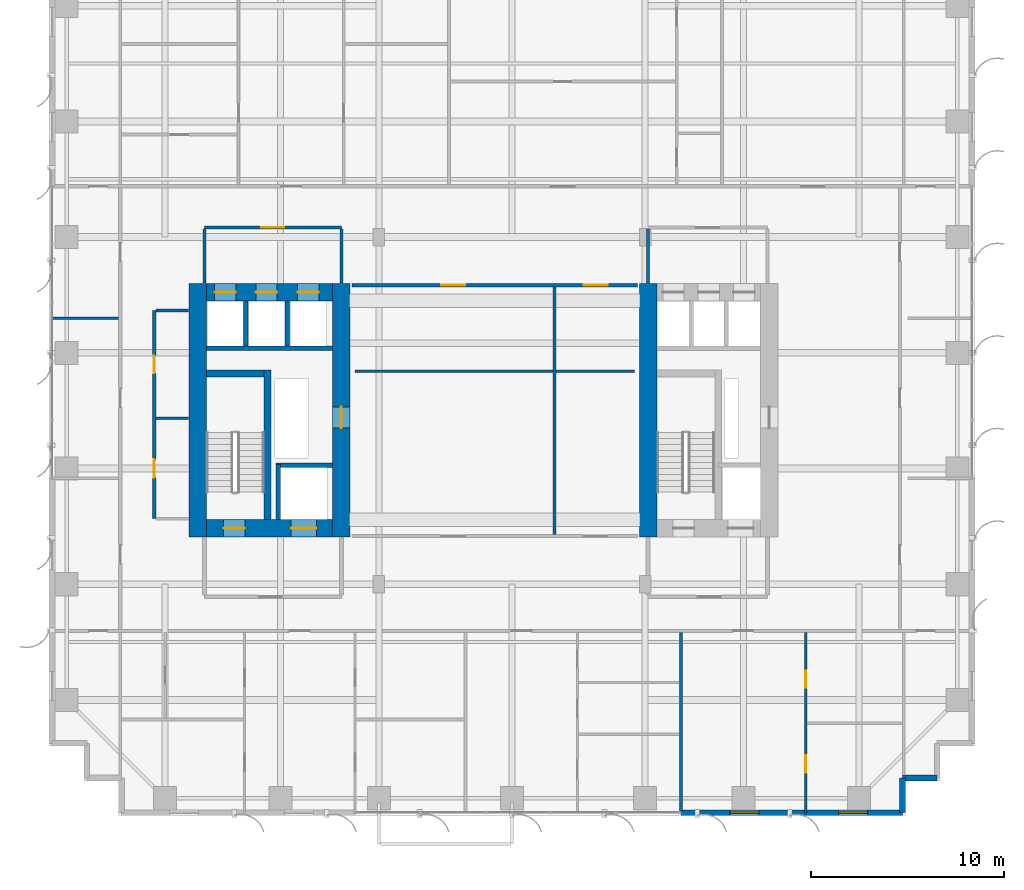
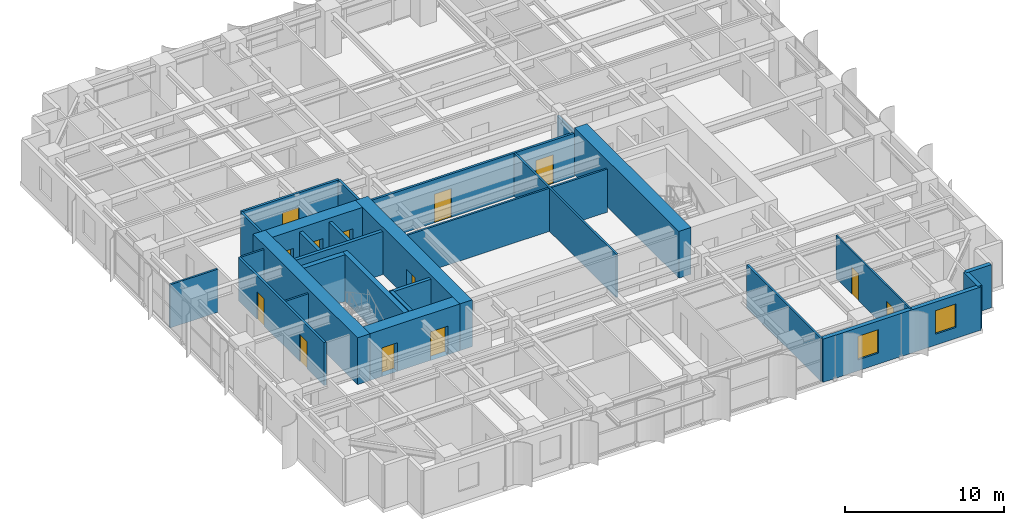
# One storey, part 18 of 25: 28 walls, 13 doors, 2 windows, 15 openings.
"""IFC4 building model written with IfcOpenShell, lengths in metres."""

from ifc_helpers import new_model, si_unit, direction, frame, frame_2d, origin, place, context, subcontext, project, spatial, rectangle, extrude, source, transform, mapped, material, layer, layer_set, type_object, element, fill, save


model = new_model("IFC4")

# Units and contexts
model_context = context("Model", 3, precision=1e-05, world=origin(), true_north=direction((0.0, 1.0)))
body_context = subcontext(model_context, "Body", "Model", "MODEL_VIEW")
ifc_project = project(units=[si_unit("LENGTHUNIT", "METRE"), si_unit("AREAUNIT", "SQUARE_METRE"), si_unit("VOLUMEUNIT", "CUBIC_METRE"), si_unit("PLANEANGLEUNIT", "RADIAN"), si_unit("MASSUNIT", "GRAM", prefix="KILO")], contexts=[model_context])

# Site, building, storey
site_placement = place(None, origin())
site = spatial("IfcSite", under=ifc_project, at=site_placement, CompositionType="ELEMENT")
building_placement = place(site_placement, origin())
building = spatial("IfcBuilding", under=site, at=building_placement, Name="Khoralis Quay Care Tower", CompositionType="ELEMENT")
storey_placement = place(building_placement, frame((0.0, 0.0, 65.699951171875)))
storey = spatial("IfcBuildingStorey", under=building, at=storey_placement, Name="L17", CompositionType="ELEMENT", Elevation=65.699951171875)

# Wall
ifc_material_1 = material(Name="Concrete C80/95", Category="concrete")
ifc_layer_1 = layer(ifc_material_1, 0.89990234375)
ifc_layer_set_1 = layer_set([ifc_layer_1], Name="Concrete C80/95")
wall_type_1 = type_object("IfcWallType", Name="WL-CORE-900", PredefinedType="SHEAR", material=ifc_layer_set_1)
wall_1_placement = place(storey_placement, frame((7.699951171875, 14.449951171875, 0.0), z_axis=(0.0, 0.0, 1.0), x_axis=(0.0, 1.0, 0.0)))
element("IfcWall", 1, at=wall_1_placement, inside=storey, type_object=wall_type_1, Name="L17 WCORE West Shear Wall", PredefinedType="SHEAR", context=body_context, shape_type="SweptSolid", body=[
    extrude(rectangle(XDim=13.150146484375, YDim=0.89990234375, at=frame_2d((6.5751953125, 0.0))), origin(), (0.0, 0.0, 1.0), 3.60009765625),
])

# Wall, opening, door
wall_2_placement = place(storey_placement, frame((15.14990234375, 14.449951171875, 0.0), z_axis=(0.0, 0.0, 1.0), x_axis=(0.0, 1.0, 0.0)))
wall_2 = element("IfcWall", 2, at=wall_2_placement, inside=storey, type_object=wall_type_1, Name="L17 WCORE East Shear Wall", PredefinedType="SHEAR", context=body_context, shape_type="SweptSolid", body=[
    extrude(rectangle(XDim=13.150146484375, YDim=0.89990234375, at=frame_2d((6.5751953125, 0.0))), origin(), (0.0, 0.0, 1.0), 3.60009765625),
])
opening_1_placement = place(wall_2_placement, frame((5.64990234375, 0.0, 0.0)))
opening_1 = element("IfcOpeningElement", 3, at=opening_1_placement, cuts=wall_2, Name="Opening SD1", PredefinedType="OPENING", context=body_context, shape_type="SweptSolid", body=[
    extrude(rectangle(XDim=1.10009765625, YDim=2.199951171875, at=frame_2d((0.550048828125, 1.10009765625))), frame((0.0, 0.4599609375, 0.0), z_axis=(0.0, -1.0, 0.0), x_axis=(1.0, 0.0, 0.0)), (0.0, 0.0, 1.0), 0.919921875),
])
ifc_material_2 = material(Name="Fire-rated painted steel", Category="steel")
door_type_1 = type_object("IfcDoorType", Name="DR-STAIR-1100X2200", OperationType="NOTDEFINED", PredefinedType="DOOR", material=ifc_material_2)
shared_shape_1 = source(origin(), body_context, "Body", "SweptSolid", [
    extrude(rectangle(XDim=1.10009765625, YDim=2.199951171875, at=frame_2d((0.550048828125, 1.10009765625))), frame((0.0, 0.02490234375, 0.0), z_axis=(0.0, -1.0, 0.0), x_axis=(1.0, 0.0, 0.0)), (0.0, 0.0, 1.0), 0.050048828125),
])
door_1_placement = place(opening_1_placement, origin())
door_1 = element("IfcDoor", 4, at=door_1_placement, inside=storey, type_object=door_type_1, Name="L17 West MEP Riser Door", OperationType="SINGLE_SWING_LEFT", OverallHeight=2.199951171875, OverallWidth=1.10009765625, PredefinedType="DOOR", context=body_context, shape_type="MappedRepresentation", body=[
    mapped(shared_shape_1, transform((0.0, 0.0, 0.0), scale=1.0)),
])
fill(opening_1, door_1)

# Wall, openings, doors
wall_3_placement = place(storey_placement, frame((8.14990234375, 14.89990234375, 0.0), z_axis=(0.0, 0.0, 1.0), x_axis=(1.0, 0.0, 0.0)))
wall_3 = element("IfcWall", 5, at=wall_3_placement, inside=storey, type_object=wall_type_1, Name="L17 WCORE South Shear Wall", PredefinedType="SHEAR", context=body_context, shape_type="SweptSolid", body=[
    extrude(rectangle(XDim=6.550048828125, YDim=0.89990234375, at=frame_2d((3.27490234375, 0.0))), origin(), (0.0, 0.0, 1.0), 3.60009765625),
])
opening_2_placement = place(wall_3_placement, frame((0.89990234375, 0.0, 0.0)))
opening_2 = element("IfcOpeningElement", 6, at=opening_2_placement, cuts=wall_3, Name="Opening SD1", PredefinedType="OPENING", context=body_context, shape_type="SweptSolid", body=[
    extrude(rectangle(XDim=1.10009765625, YDim=2.199951171875, at=frame_2d((0.550048828125, 1.10009765625))), frame((0.0, 0.4599609375, 0.0), z_axis=(0.0, -1.0, 0.0), x_axis=(1.0, 0.0, 0.0)), (0.0, 0.0, 1.0), 0.919921875),
])
opening_3_placement = place(wall_3_placement, frame((4.39990234375, 0.0, 0.0)))
opening_3 = element("IfcOpeningElement", 7, at=opening_3_placement, cuts=wall_3, Name="Opening LD2", PredefinedType="OPENING", context=body_context, shape_type="SweptSolid", body=[
    extrude(rectangle(XDim=1.300048828125, YDim=2.199951171875, at=frame_2d((0.64990234375, 1.10009765625))), frame((0.0, 0.4599609375, 0.0), z_axis=(0.0, -1.0, 0.0), x_axis=(1.0, 0.0, 0.0)), (0.0, 0.0, 1.0), 0.919921875),
])
door_2_placement = place(opening_2_placement, origin())
door_2 = element("IfcDoor", 8, at=door_2_placement, inside=storey, type_object=door_type_1, Name="L17 Stair ST-T1 Fire Door", OperationType="SINGLE_SWING_LEFT", OverallHeight=2.199951171875, OverallWidth=1.10009765625, PredefinedType="DOOR", context=body_context, shape_type="MappedRepresentation", body=[
    mapped(shared_shape_1, transform((0.0, 0.0, 0.0), scale=1.0)),
])
fill(opening_2, door_2)
ifc_material_3 = material(Name="Brushed stainless steel", Category="steel")
door_type_2 = type_object("IfcDoorType", Name="DR-LIFT-1300X2200", OperationType="SLIDING_TO_RIGHT", PredefinedType="DOOR", material=ifc_material_3)
shared_shape_2 = source(origin(), body_context, "Body", "SweptSolid", [
    extrude(rectangle(XDim=1.300048828125, YDim=2.199951171875, at=frame_2d((0.64990234375, 1.10009765625))), frame((0.0, 0.02490234375, 0.0), z_axis=(0.0, -1.0, 0.0), x_axis=(1.0, 0.0, 0.0)), (0.0, 0.0, 1.0), 0.050048828125),
])
door_3_placement = place(opening_3_placement, origin())
door_3 = element("IfcDoor", 9, at=door_3_placement, inside=storey, type_object=door_type_2, Name="L17 Firefighting Lift FFL-1 Landing Door", OperationType="SLIDING_TO_RIGHT", OverallHeight=2.199951171875, OverallWidth=1.300048828125, PredefinedType="DOOR", context=body_context, shape_type="MappedRepresentation", body=[
    mapped(shared_shape_2, transform((0.0, 0.0, 0.0), scale=1.0)),
])
fill(opening_3, door_3)

wall_4_placement = place(storey_placement, frame((8.14990234375, 27.14990234375, 0.0), z_axis=(0.0, 0.0, 1.0), x_axis=(1.0, 0.0, 0.0)))
wall_4 = element("IfcWall", 10, at=wall_4_placement, inside=storey, type_object=wall_type_1, Name="L17 WCORE North Shear Wall", PredefinedType="SHEAR", context=body_context, shape_type="SweptSolid", body=[
    extrude(rectangle(XDim=6.550048828125, YDim=0.89990234375, at=frame_2d((3.27490234375, 0.0))), origin(), (0.0, 0.0, 1.0), 3.60009765625),
])
opening_4_placement = place(wall_4_placement, frame((0.429931640625, 0.0, 0.0)))
opening_4 = element("IfcOpeningElement", 11, at=opening_4_placement, cuts=wall_4, Name="Opening LD1", PredefinedType="OPENING", context=body_context, shape_type="SweptSolid", body=[
    extrude(rectangle(XDim=1.10009765625, YDim=2.199951171875, at=frame_2d((0.550048828125, 1.10009765625))), frame((0.0, 0.4599609375, 0.0), z_axis=(0.0, -1.0, 0.0), x_axis=(1.0, 0.0, 0.0)), (0.0, 0.0, 1.0), 0.919921875),
])
opening_5_placement = place(wall_4_placement, frame((2.570068359375, 0.0, 0.0)))
opening_5 = element("IfcOpeningElement", 12, at=opening_5_placement, cuts=wall_4, Name="Opening LD1", PredefinedType="OPENING", context=body_context, shape_type="SweptSolid", body=[
    extrude(rectangle(XDim=1.10009765625, YDim=2.199951171875, at=frame_2d((0.550048828125, 1.10009765625))), frame((0.0, 0.4599609375, 0.0), z_axis=(0.0, -1.0, 0.0), x_axis=(1.0, 0.0, 0.0)), (0.0, 0.0, 1.0), 0.919921875),
])
opening_6_placement = place(wall_4_placement, frame((4.72998046875, 0.0, 0.0)))
opening_6 = element("IfcOpeningElement", 13, at=opening_6_placement, cuts=wall_4, Name="Opening LD1", PredefinedType="OPENING", context=body_context, shape_type="SweptSolid", body=[
    extrude(rectangle(XDim=1.10009765625, YDim=2.199951171875, at=frame_2d((0.550048828125, 1.10009765625))), frame((0.0, 0.4599609375, 0.0), z_axis=(0.0, -1.0, 0.0), x_axis=(1.0, 0.0, 0.0)), (0.0, 0.0, 1.0), 0.919921875),
])
door_type_3 = type_object("IfcDoorType", Name="DR-LIFT-1100X2200", OperationType="SLIDING_TO_LEFT", PredefinedType="DOOR", material=ifc_material_3)
shared_shape_3 = source(origin(), body_context, "Body", "SweptSolid", [
    extrude(rectangle(XDim=1.10009765625, YDim=2.199951171875, at=frame_2d((0.550048828125, 1.10009765625))), frame((0.0, 0.02490234375, 0.0), z_axis=(0.0, -1.0, 0.0), x_axis=(1.0, 0.0, 0.0)), (0.0, 0.0, 1.0), 0.050048828125),
])
door_4_placement = place(opening_4_placement, origin())
door_4 = element("IfcDoor", 14, at=door_4_placement, inside=storey, type_object=door_type_3, Name="L17 Lift PLL1 Landing Door", OperationType="SLIDING_TO_LEFT", OverallHeight=2.199951171875, OverallWidth=1.10009765625, PredefinedType="DOOR", context=body_context, shape_type="MappedRepresentation", body=[
    mapped(shared_shape_3, transform((0.0, 0.0, 0.0), scale=1.0)),
])
fill(opening_4, door_4)
door_5_placement = place(opening_5_placement, origin())
door_5 = element("IfcDoor", 15, at=door_5_placement, inside=storey, type_object=door_type_3, Name="L17 Lift PLM1 Landing Door", OperationType="SLIDING_TO_LEFT", OverallHeight=2.199951171875, OverallWidth=1.10009765625, PredefinedType="DOOR", context=body_context, shape_type="MappedRepresentation", body=[
    mapped(shared_shape_3, transform((0.0, 0.0, 0.0), scale=1.0)),
])
fill(opening_5, door_5)
door_6_placement = place(opening_6_placement, origin())
door_6 = element("IfcDoor", 16, at=door_6_placement, inside=storey, type_object=door_type_3, Name="L17 Lift PLH1 Landing Door", OperationType="SLIDING_TO_LEFT", OverallHeight=2.199951171875, OverallWidth=1.10009765625, PredefinedType="DOOR", context=body_context, shape_type="MappedRepresentation", body=[
    mapped(shared_shape_3, transform((0.0, 0.0, 0.0), scale=1.0)),
])
fill(opening_6, door_6)

# Wall
wall_5_placement = place(storey_placement, frame((31.070068359375, 14.449951171875, 0.0), z_axis=(0.0, 0.0, 1.0), x_axis=(0.0, 1.0, 0.0)))
element("IfcWall", 17, at=wall_5_placement, inside=storey, type_object=wall_type_1, Name="L17 ECORE West Shear Wall", PredefinedType="SHEAR", context=body_context, shape_type="SweptSolid", body=[
    extrude(rectangle(XDim=13.150146484375, YDim=0.89990234375, at=frame_2d((6.5751953125, 0.0))), origin(), (0.0, 0.0, 1.0), 3.60009765625),
])

# Wall, opening, door
ifc_material_4 = material(Name="Gypsum plasterboard on acoustic metal stud")
ifc_layer_2 = layer(ifc_material_4, 0.1650390625)
ifc_layer_set_2 = layer_set([ifc_layer_2], Name="Gypsum plasterboard on acoustic metal stud")
wall_type_2 = type_object("IfcWallType", Name="WL-CORR-165", PredefinedType="PARTITIONING", material=ifc_layer_set_2)
wall_6_placement = place(storey_placement, frame((8.050048828125, 30.5, 0.0), z_axis=(0.0, 0.0, 1.0), x_axis=(1.0, 0.0, 0.0)))
wall_6 = element("IfcWall", 18, at=wall_6_placement, inside=storey, type_object=wall_type_2, Name="L17 West Lift Lobby North Wall", PredefinedType="PARTITIONING", context=body_context, shape_type="SweptSolid", body=[
    extrude(rectangle(XDim=7.099853515625, YDim=0.1650390625, at=frame_2d((3.5498046875, 0.0))), origin(), (0.0, 0.0, 1.0), 3.320068359375),
])
opening_7_placement = place(wall_6_placement, frame((2.949951171875, 0.0, 0.0)))
opening_7 = element("IfcOpeningElement", 19, at=opening_7_placement, cuts=wall_6, Name="Opening FD1", PredefinedType="OPENING", context=body_context, shape_type="SweptSolid", body=[
    extrude(rectangle(XDim=1.199951171875, YDim=2.199951171875, at=frame_2d((0.60009765625, 1.10009765625))), frame((0.0, 0.092529296875, 0.0), z_axis=(0.0, -1.0, 0.0), x_axis=(1.0, 0.0, 0.0)), (0.0, 0.0, 1.0), 0.18505859375),
])
door_type_4 = type_object("IfcDoorType", Name="DR-FFL-1200X2200", OperationType="NOTDEFINED", PredefinedType="DOOR", material=ifc_material_2)
shared_shape_4 = source(origin(), body_context, "Body", "SweptSolid", [
    extrude(rectangle(XDim=1.199951171875, YDim=2.199951171875, at=frame_2d((0.60009765625, 1.10009765625))), frame((0.0, 0.02490234375, 0.0), z_axis=(0.0, -1.0, 0.0), x_axis=(1.0, 0.0, 0.0)), (0.0, 0.0, 1.0), 0.050048828125),
])
door_7_placement = place(opening_7_placement, origin())
door_7 = element("IfcDoor", 20, at=door_7_placement, inside=storey, type_object=door_type_4, Name="L17 West Lift Lobby Double Door", OperationType="DOUBLE_DOOR_SINGLE_SWING", OverallHeight=2.199951171875, OverallWidth=1.199951171875, PredefinedType="DOOR", context=body_context, shape_type="MappedRepresentation", body=[
    mapped(shared_shape_4, transform((0.0, 0.0, 0.0), scale=1.0)),
])
fill(opening_7, door_7)

# Walls
for number, where, z_axis, x_axis, name in (
    (21, (8.050048828125, 27.6201171875, 0.0), (0.0, 0.0, 1.0), (0.0, 1.0, 0.0), "L17 West Lift Lobby West Wall"),
    (22, (15.14990234375, 27.6201171875, 0.0), (0.0, 0.0, 1.0), (0.0, 1.0, 0.0), "L17 West Lift Lobby East Wall"),
):
    element("IfcWall", number, at=place(storey_placement, frame(where, z_axis=z_axis, x_axis=x_axis)), inside=storey, type_object=wall_type_2, Name=name, PredefinedType="PARTITIONING", context=body_context, shape_type="SweptSolid", body=[
        extrude(rectangle(XDim=2.802490234375, YDim=0.1650390625, at=frame_2d((1.4013671875, 0.0))), origin(), (0.0, 0.0, 1.0), 3.320068359375),
    ])
wall_7_placement = place(storey_placement, frame((31.050048828125, 27.6201171875, 0.0), z_axis=(0.0, 0.0, 1.0), x_axis=(0.0, 1.0, 0.0)))
element("IfcWall", 23, at=wall_7_placement, inside=storey, type_object=wall_type_2, Name="L17 East Lift Lobby West Wall", PredefinedType="PARTITIONING", context=body_context, shape_type="SweptSolid", body=[
    extrude(rectangle(XDim=2.802490234375, YDim=0.1650390625, at=frame_2d((1.4013671875, 0.0))), origin(), (0.0, 0.0, 1.0), 2.7041015625),
])

# Wall, openings, doors
wall_8_placement = place(storey_placement, frame((5.449951171875, 15.39990234375, 0.0), z_axis=(0.0, 0.0, 1.0), x_axis=(0.0, 1.0, 0.0)))
wall_8 = element("IfcWall", 24, at=wall_8_placement, inside=storey, type_object=wall_type_2, Name="L17 West Core Service Flank Wall", PredefinedType="PARTITIONING", context=body_context, shape_type="SweptSolid", body=[
    extrude(rectangle(XDim=10.800048828125, YDim=0.1650390625, at=frame_2d((5.39990234375, 0.0))), origin(), (0.0, 0.0, 1.0), 3.320068359375),
])
opening_8_placement = place(wall_8_placement, frame((2.125, 0.0, 0.0)))
opening_8 = element("IfcOpeningElement", 25, at=opening_8_placement, cuts=wall_8, Name="Opening ID1", PredefinedType="OPENING", context=body_context, shape_type="SweptSolid", body=[
    extrude(rectangle(XDim=0.949951171875, YDim=2.10009765625, at=frame_2d((0.47509765625, 1.050048828125))), frame((0.0, 0.092529296875, 0.0), z_axis=(0.0, -1.0, 0.0), x_axis=(1.0, 0.0, 0.0)), (0.0, 0.0, 1.0), 0.18505859375),
])
opening_9_placement = place(wall_8_placement, frame((7.550048828125, 0.0, 0.0)))
opening_9 = element("IfcOpeningElement", 26, at=opening_9_placement, cuts=wall_8, Name="Opening WD1", PredefinedType="OPENING", context=body_context, shape_type="SweptSolid", body=[
    extrude(rectangle(XDim=0.89990234375, YDim=2.10009765625, at=frame_2d((0.449951171875, 1.050048828125))), frame((0.0, 0.092529296875, 0.0), z_axis=(0.0, -1.0, 0.0), x_axis=(1.0, 0.0, 0.0)), (0.0, 0.0, 1.0), 0.18505859375),
])
ifc_material_5 = material(Name="Acoustic hardwood timber", Category="wood")
door_type_5 = type_object("IfcDoorType", Name="DR-BATH-900X2100", OperationType="NOTDEFINED", PredefinedType="DOOR", material=ifc_material_5)
shared_shape_5 = source(origin(), body_context, "Body", "SweptSolid", [
    extrude(rectangle(XDim=0.89990234375, YDim=2.10009765625, at=frame_2d((0.449951171875, 1.050048828125))), frame((0.0, 0.02490234375, 0.0), z_axis=(0.0, -1.0, 0.0), x_axis=(1.0, 0.0, 0.0)), (0.0, 0.0, 1.0), 0.050048828125),
])
door_8_placement = place(opening_9_placement, frame((0.89990234375, 0.0, 0.0), z_axis=(0.0, 0.0, 1.0), x_axis=(-1.0, 0.0, 0.0)))
door_8 = element("IfcDoor", 27, at=door_8_placement, inside=storey, type_object=door_type_5, Name="L17 Public Accessible WC Door", OperationType="SINGLE_SWING_LEFT", OverallHeight=2.10009765625, OverallWidth=0.89990234375, PredefinedType="DOOR", context=body_context, shape_type="MappedRepresentation", body=[
    mapped(shared_shape_5, transform((0.0, 0.0, 0.0), scale=1.0)),
])
fill(opening_9, door_8)
door_type_6 = type_object("IfcDoorType", Name="DR-ROOM-950X2100", OperationType="NOTDEFINED", PredefinedType="DOOR", material=ifc_material_5)
shared_shape_6 = source(origin(), body_context, "Body", "SweptSolid", [
    extrude(rectangle(XDim=0.949951171875, YDim=2.10009765625, at=frame_2d((0.47509765625, 1.050048828125))), frame((0.0, 0.02490234375, 0.0), z_axis=(0.0, -1.0, 0.0), x_axis=(1.0, 0.0, 0.0)), (0.0, 0.0, 1.0), 0.050048828125),
])
door_9_placement = place(opening_8_placement, frame((0.949951171875, 0.0, 0.0), z_axis=(0.0, 0.0, 1.0), x_axis=(-1.0, 0.0, 0.0)))
door_9 = element("IfcDoor", 28, at=door_9_placement, inside=storey, type_object=door_type_6, Name="L17 Housekeeping Linen Store Door", OperationType="SINGLE_SWING_RIGHT", OverallHeight=2.10009765625, OverallWidth=0.949951171875, PredefinedType="DOOR", context=body_context, shape_type="MappedRepresentation", body=[
    mapped(shared_shape_6, transform((0.0, 0.0, 0.0), scale=1.0)),
])
fill(opening_8, door_9)

wall_9_placement = place(storey_placement, frame((15.699951171875, 27.5, 0.0), z_axis=(0.0, 0.0, 1.0), x_axis=(1.0, 0.0, 0.0)))
wall_9 = element("IfcWall", 29, at=wall_9_placement, inside=storey, type_object=wall_type_2, Name="L17 Central Clinical North Wall", PredefinedType="PARTITIONING", context=body_context, shape_type="SweptSolid", body=[
    extrude(rectangle(XDim=14.800048828125, YDim=0.1650390625, at=frame_2d((7.39990234375, 0.0))), origin(), (0.0, 0.0, 1.0), 3.320068359375),
])
opening_10_placement = place(wall_9_placement, frame((4.625, 0.0, 0.0)))
opening_10 = element("IfcOpeningElement", 30, at=opening_10_placement, cuts=wall_9, Name="Opening CD1", PredefinedType="OPENING", context=body_context, shape_type="SweptSolid", body=[
    extrude(rectangle(XDim=1.25, YDim=2.199951171875, at=frame_2d((0.625, 1.10009765625))), frame((0.0, 0.092529296875, 0.0), z_axis=(0.0, -1.0, 0.0), x_axis=(1.0, 0.0, 0.0)), (0.0, 0.0, 1.0), 0.18505859375),
])
opening_11_placement = place(wall_9_placement, frame((12.02490234375, 0.0, 0.0)))
opening_11 = element("IfcOpeningElement", 31, at=opening_11_placement, cuts=wall_9, Name="Opening CD1", PredefinedType="OPENING", context=body_context, shape_type="SweptSolid", body=[
    extrude(rectangle(XDim=1.25, YDim=2.199951171875, at=frame_2d((0.625, 1.10009765625))), frame((0.0, 0.092529296875, 0.0), z_axis=(0.0, -1.0, 0.0), x_axis=(1.0, 0.0, 0.0)), (0.0, 0.0, 1.0), 0.18505859375),
])
door_type_7 = type_object("IfcDoorType", Name="DR-CARE-1250X2200", OperationType="NOTDEFINED", PredefinedType="DOOR", material=ifc_material_5)
shared_shape_7 = source(origin(), body_context, "Body", "SweptSolid", [
    extrude(rectangle(XDim=1.25, YDim=2.199951171875, at=frame_2d((0.625, 1.10009765625))), frame((0.0, 0.02490234375, 0.0), z_axis=(0.0, -1.0, 0.0), x_axis=(1.0, 0.0, 0.0)), (0.0, 0.0, 1.0), 0.050048828125),
])
door_10_placement = place(opening_10_placement, frame((1.25, 0.0, 0.0), z_axis=(0.0, 0.0, 1.0), x_axis=(-1.0, 0.0, 0.0)))
door_10 = element("IfcDoor", 32, at=door_10_placement, inside=storey, type_object=door_type_7, Name="L17 Library Lounge Door", OperationType="SINGLE_SWING_LEFT", OverallHeight=2.199951171875, OverallWidth=1.25, PredefinedType="DOOR", context=body_context, shape_type="MappedRepresentation", body=[
    mapped(shared_shape_7, transform((0.0, 0.0, 0.0), scale=1.0)),
])
fill(opening_10, door_10)
door_11_placement = place(opening_11_placement, frame((1.25, 0.0, 0.0), z_axis=(0.0, 0.0, 1.0), x_axis=(-1.0, 0.0, 0.0)))
door_11 = element("IfcDoor", 33, at=door_11_placement, inside=storey, type_object=door_type_7, Name="L17 Occupational Therapy Door", OperationType="SINGLE_SWING_RIGHT", OverallHeight=2.199951171875, OverallWidth=1.25, PredefinedType="DOOR", context=body_context, shape_type="MappedRepresentation", body=[
    mapped(shared_shape_7, transform((0.0, 0.0, 0.0), scale=1.0)),
])
fill(opening_11, door_11)

# Wall, openings, windows
ifc_material_6 = material(Name="Precast concrete C45/55", Category="concrete")
ifc_layer_3 = layer(ifc_material_6, 0.300048828125)
ifc_layer_set_3 = layer_set([ifc_layer_3], Name="Precast concrete C45/55")
wall_type_3 = type_object("IfcWallType", Name="WL-EXT-REF-300", PredefinedType="SOLIDWALL", material=ifc_layer_set_3)
wall_10_placement = place(storey_placement, frame((32.760009765625, 0.14990234375, 0.0), z_axis=(0.0, 0.0, 1.0), x_axis=(1.0, 0.0, 0.0)))
wall_10 = element("IfcWall", 34, at=wall_10_placement, inside=storey, type_object=wall_type_3, Name="L17 External Facade Wall WL-EXT-L17-P1-E0B", PredefinedType="SOLIDWALL", context=body_context, shape_type="SweptSolid", body=[
    extrude(rectangle(XDim=11.489990234375, YDim=0.300048828125, at=frame_2d((5.7451171875, 0.0))), origin(), (0.0, 0.0, 1.0), 3.320068359375),
])
opening_12_placement = place(wall_10_placement, frame((2.537109375, 0.0, 0.85009765625)))
opening_12 = element("IfcOpeningElement", 35, at=opening_12_placement, cuts=wall_10, Name="Opening W3", PredefinedType="OPENING", context=body_context, shape_type="SweptSolid", body=[
    extrude(rectangle(XDim=1.5, YDim=1.800048828125, at=frame_2d((0.75, 0.89990234375))), frame((0.0, 0.16015625, 0.0), z_axis=(0.0, -1.0, 0.0), x_axis=(1.0, 0.0, 0.0)), (0.0, 0.0, 1.0), 0.320068359375),
])
opening_13_placement = place(wall_10_placement, frame((8.181884765625, 0.0, 0.85009765625)))
opening_13 = element("IfcOpeningElement", 36, at=opening_13_placement, cuts=wall_10, Name="Opening W3", PredefinedType="OPENING", context=body_context, shape_type="SweptSolid", body=[
    extrude(rectangle(XDim=1.5, YDim=1.800048828125, at=frame_2d((0.75, 0.89990234375))), frame((0.0, 0.16015625, 0.0), z_axis=(0.0, -1.0, 0.0), x_axis=(1.0, 0.0, 0.0)), (0.0, 0.0, 1.0), 0.320068359375),
])
ifc_material_7 = material(Name="Low-E solar-control double glazing", Category="glass")
window_type = type_object("IfcWindowType", Name="WN-CLIN-1500X1800", PartitioningType="SINGLE_PANEL", PredefinedType="WINDOW", material=ifc_material_7)
shared_shape_8 = source(origin(), body_context, "Body", "SweptSolid", [
    extrude(rectangle(XDim=1.5, YDim=1.800048828125, at=frame_2d((0.75, 0.89990234375))), frame((0.0, 0.030029296875, 0.0), z_axis=(0.0, -1.0, 0.0), x_axis=(1.0, 0.0, 0.0)), (0.0, 0.0, 1.0), 0.06005859375),
])
window_1_placement = place(opening_12_placement, origin())
window_1 = element("IfcWindow", 37, at=window_1_placement, inside=storey, type_object=window_type, Name="WN-L17-P1-E0B Facade Window 01", OverallHeight=1.800048828125, OverallWidth=1.5, PartitioningType="SINGLE_PANEL", PredefinedType="WINDOW", context=body_context, shape_type="MappedRepresentation", body=[
    mapped(shared_shape_8, transform((0.0, 0.0, 0.0), scale=1.0)),
])
fill(opening_12, window_1)
window_2_placement = place(opening_13_placement, origin())
window_2 = element("IfcWindow", 38, at=window_2_placement, inside=storey, type_object=window_type, Name="WN-L17-P1-E0B Facade Window 02", OverallHeight=1.800048828125, OverallWidth=1.5, PartitioningType="SINGLE_PANEL", PredefinedType="WINDOW", context=body_context, shape_type="MappedRepresentation", body=[
    mapped(shared_shape_8, transform((0.0, 0.0, 0.0), scale=1.0)),
])
fill(opening_13, window_2)

# Walls
for number, where, z_axis, x_axis, name in (
    (39, (44.25, 0.14990234375, 0.0), (0.0, 0.0, 1.0), (0.0, 1.0, 0.0), "L17 External Facade Wall WL-EXT-L17-P1-C1"),
    (40, (44.25, 1.949951171875, 0.0), (0.0, 0.0, 1.0), (1.0, 0.0, 0.0), "L17 External Facade Wall WL-EXT-L17-P1-C2"),
):
    element("IfcWall", number, at=place(storey_placement, frame(where, z_axis=z_axis, x_axis=x_axis)), inside=storey, type_object=wall_type_3, Name=name, PredefinedType="SOLIDWALL", context=body_context, shape_type="SweptSolid", body=[
        extrude(rectangle(XDim=1.800048828125, YDim=0.300048828125, at=frame_2d((0.89990234375, 0.0))), origin(), (0.0, 0.0, 1.0), 3.320068359375),
    ])

# Wall, openings, doors
ifc_layer_4 = layer(ifc_material_4, 0.114990234375)
ifc_layer_set_4 = layer_set([ifc_layer_4], Name="Gypsum plasterboard on acoustic metal stud")
wall_type_4 = type_object("IfcWallType", Name="WL-PART-115", PredefinedType="PARTITIONING", material=ifc_layer_set_4)
wall_11_placement = place(storey_placement, frame((39.23388671875, 0.14501953125, 0.0), z_axis=(0.0, 0.0, 1.0), x_axis=(0.0, 1.0, 0.0)))
wall_11 = element("IfcWall", 41, at=wall_11_placement, inside=storey, type_object=wall_type_4, Name="L17 Studio 2 Internal Wall", PredefinedType="PARTITIONING", context=body_context, shape_type="SweptSolid", body=[
    extrude(rectangle(XDim=9.357421875, YDim=0.114990234375, at=frame_2d((4.6787109375, 0.0))), origin(), (0.0, 0.0, 1.0), 3.320068359375),
])
opening_14_placement = place(wall_11_placement, frame((2.074951171875, 0.0, 0.0)))
opening_14 = element("IfcOpeningElement", 42, at=opening_14_placement, cuts=wall_11, Name="Opening WD1", PredefinedType="OPENING", context=body_context, shape_type="SweptSolid", body=[
    extrude(rectangle(XDim=0.89990234375, YDim=2.10009765625, at=frame_2d((0.449951171875, 1.050048828125))), frame((0.0, 0.0673828125, 0.0), z_axis=(0.0, -1.0, 0.0), x_axis=(1.0, 0.0, 0.0)), (0.0, 0.0, 1.0), 0.135009765625),
])
opening_15_placement = place(wall_11_placement, frame((6.47509765625, 0.0, 0.0)))
opening_15 = element("IfcOpeningElement", 43, at=opening_15_placement, cuts=wall_11, Name="Opening WD1", PredefinedType="OPENING", context=body_context, shape_type="SweptSolid", body=[
    extrude(rectangle(XDim=0.89990234375, YDim=2.10009765625, at=frame_2d((0.449951171875, 1.050048828125))), frame((0.0, 0.0673828125, 0.0), z_axis=(0.0, -1.0, 0.0), x_axis=(1.0, 0.0, 0.0)), (0.0, 0.0, 1.0), 0.135009765625),
])
door_12_placement = place(opening_14_placement, frame((0.89990234375, 0.0, 0.0), z_axis=(0.0, 0.0, 1.0), x_axis=(-1.0, 0.0, 0.0)))
door_12 = element("IfcDoor", 44, at=door_12_placement, inside=storey, type_object=door_type_5, Name="L17 Studio SKT Door", OperationType="SINGLE_SWING_RIGHT", OverallHeight=2.10009765625, OverallWidth=0.89990234375, PredefinedType="DOOR", context=body_context, shape_type="MappedRepresentation", body=[
    mapped(shared_shape_5, transform((0.0, 0.0, 0.0), scale=1.0)),
])
fill(opening_14, door_12)
door_13_placement = place(opening_15_placement, frame((0.89990234375, 0.0, 0.0), z_axis=(0.0, 0.0, 1.0), x_axis=(-1.0, 0.0, 0.0)))
door_13 = element("IfcDoor", 45, at=door_13_placement, inside=storey, type_object=door_type_5, Name="L17 Studio SBH Door", OperationType="SINGLE_SWING_LEFT", OverallHeight=2.10009765625, OverallWidth=0.89990234375, PredefinedType="DOOR", context=body_context, shape_type="MappedRepresentation", body=[
    mapped(shared_shape_5, transform((0.0, 0.0, 0.0), scale=1.0)),
])
fill(opening_15, door_13)

# Walls
ifc_material_8 = material(Name="Moisture-resistant gypsum and ceramic tile")
ifc_layer_5 = layer(ifc_material_8, 0.280029296875)
ifc_layer_set_5 = layer_set([ifc_layer_5], Name="Moisture-resistant gypsum and ceramic tile")
wall_type_5 = type_object("IfcWallType", Name="WL-PLUMB-280", PredefinedType="PLUMBINGWALL", material=ifc_layer_set_5)
wall_12_placement = place(storey_placement, frame((5.527587890625, 20.60009765625, 0.0), z_axis=(0.0, 0.0, 1.0), x_axis=(1.0, 0.0, 0.0)))
element("IfcWall", 46, at=wall_12_placement, inside=storey, type_object=wall_type_5, Name="L17 West Flank Divider 1", PredefinedType="PLUMBINGWALL", context=body_context, shape_type="SweptSolid", body=[
    extrude(rectangle(XDim=1.682373046875, YDim=0.139892578125, at=frame_2d((0.84130859375, 0.0))), origin(), (0.0, 0.0, 1.0), 3.320068359375),
])
ifc_material_9 = material(Name="Concrete C40/50", Category="concrete")
ifc_layer_6 = layer(ifc_material_9, 0.35009765625)
ifc_layer_set_6 = layer_set([ifc_layer_6], Name="Concrete C40/50")
wall_type_6 = type_object("IfcWallType", Name="WL-SC-CORE-350", PredefinedType="SHEAR", material=ifc_layer_set_6)
wall_13_placement = place(storey_placement, frame((11.324951171875, 15.35009765625, 0.0), z_axis=(0.0, 0.0, 1.0), x_axis=(0.0, 1.0, 0.0)))
element("IfcWall", 47, at=wall_13_placement, inside=storey, type_object=wall_type_6, Name="L17 Stair ST-T1 Shear Baffle Wall East", PredefinedType="SHEAR", context=body_context, shape_type="SweptSolid", body=[
    extrude(rectangle(XDim=7.75, YDim=0.35009765625, at=frame_2d((3.875, 0.0))), origin(), (0.0, 0.0, 1.0), 3.60009765625),
])
wall_14_placement = place(storey_placement, frame((8.14990234375, 22.925048828125, 0.0), z_axis=(0.0, 0.0, 1.0), x_axis=(1.0, 0.0, 0.0)))
element("IfcWall", 48, at=wall_14_placement, inside=storey, type_object=wall_type_6, Name="L17 Stair ST-T1 Shear Baffle Wall North", PredefinedType="SHEAR", context=body_context, shape_type="SweptSolid", body=[
    extrude(rectangle(XDim=3.0, YDim=0.35009765625, at=frame_2d((1.5, 0.0))), origin(), (0.0, 0.0, 1.0), 3.60009765625),
])
ifc_layer_7 = layer(ifc_material_4, 0.239990234375)
ifc_layer_set_7 = layer_set([ifc_layer_7], Name="Gypsum plasterboard on acoustic metal stud")
wall_type_7 = type_object("IfcWallType", Name="WL-SHAFT-240", PredefinedType="PARTITIONING", material=ifc_layer_set_7)
wall_15_placement = place(storey_placement, frame((11.8798828125, 15.35009765625, 0.0), z_axis=(0.0, 0.0, 1.0), x_axis=(0.0, 1.0, 0.0)))
element("IfcWall", 49, at=wall_15_placement, inside=storey, type_object=wall_type_7, Name="L17 FFL-1 Shaft Wall West", PredefinedType="PARTITIONING", context=body_context, shape_type="SweptSolid", body=[
    extrude(rectangle(XDim=2.849853515625, YDim=0.239990234375, at=frame_2d((1.4248046875, 0.0))), origin(), (0.0, 0.0, 1.0), 3.320068359375),
])
wall_16_placement = place(storey_placement, frame((11.760009765625, 18.169921875, 0.0), z_axis=(0.0, 0.0, 1.0), x_axis=(1.0, 0.0, 0.0)))
element("IfcWall", 50, at=wall_16_placement, inside=storey, type_object=wall_type_7, Name="L17 FFL-1 Shaft Wall North", PredefinedType="PARTITIONING", context=body_context, shape_type="SweptSolid", body=[
    extrude(rectangle(XDim=2.919921875, YDim=0.239990234375, at=frame_2d((1.4599609375, 0.0))), origin(), (0.0, 0.0, 1.0), 3.320068359375),
])
wall_17_placement = place(storey_placement, frame((8.14990234375, 24.22998046875, 0.0), z_axis=(0.0, 0.0, 1.0), x_axis=(1.0, 0.0, 0.0)))
element("IfcWall", 51, at=wall_17_placement, inside=storey, type_object=wall_type_7, Name="L17 West Passenger Shaft South Wall", PredefinedType="PARTITIONING", context=body_context, shape_type="SweptSolid", body=[
    extrude(rectangle(XDim=6.530029296875, YDim=0.239990234375, at=frame_2d((3.26513671875, 0.0))), origin(), (0.0, 0.0, 1.0), 3.320068359375),
])
for number, where, z_axis, x_axis, name in (
    (52, (10.199951171875, 24.344970703125, 0.0), (0.0, 0.0, 1.0), (0.0, 1.0, 0.0), "L17 West Shaft Divider 1"),
    (53, (12.35009765625, 24.344970703125, 0.0), (0.0, 0.0, 1.0), (0.0, 1.0, 0.0), "L17 West Shaft Divider 2"),
):
    element("IfcWall", number, at=place(storey_placement, frame(where, z_axis=z_axis, x_axis=x_axis)), inside=storey, type_object=wall_type_7, Name=name, PredefinedType="PARTITIONING", context=body_context, shape_type="SweptSolid", body=[
        extrude(rectangle(XDim=2.3349609375, YDim=0.239990234375, at=frame_2d((1.16748046875, 0.0))), origin(), (0.0, 0.0, 1.0), 3.320068359375),
    ])
ifc_layer_8 = layer(ifc_material_4, 0.139892578125)
ifc_layer_set_8 = layer_set([ifc_layer_8], Name="Gypsum plasterboard on acoustic metal stud")
wall_type_8 = type_object("IfcWallType", Name="WL-UNIT-140", PredefinedType="PARTITIONING", material=ifc_layer_set_8)
wall_18_placement = place(storey_placement, frame((5.527587890625, 26.199951171875, 0.0), z_axis=(0.0, 0.0, 1.0), x_axis=(1.0, 0.0, 0.0)))
element("IfcWall", 54, at=wall_18_placement, inside=storey, type_object=wall_type_8, Name="L17 West Flank North Cap", PredefinedType="PARTITIONING", context=body_context, shape_type="SweptSolid", body=[
    extrude(rectangle(XDim=1.682373046875, YDim=0.139892578125, at=frame_2d((0.84130859375, 0.0))), origin(), (0.0, 0.0, 1.0), 3.320068359375),
])
wall_19_placement = place(storey_placement, frame((0.14501953125, 25.800048828125, 0.0), z_axis=(0.0, 0.0, 1.0), x_axis=(1.0, 0.0, 0.0)))
element("IfcWall", 55, at=wall_19_placement, inside=storey, type_object=wall_type_8, Name="L17 WW Divider 2", PredefinedType="PARTITIONING", context=body_context, shape_type="SweptSolid", body=[
    extrude(rectangle(XDim=3.45751953125, YDim=0.139892578125, at=frame_2d((1.728759765625, 0.0))), origin(), (0.0, 0.0, 1.0), 3.320068359375),
])
wall_20_placement = place(storey_placement, frame((26.199951171875, 14.577392578125, 0.0), z_axis=(0.0, 0.0, 1.0), x_axis=(0.0, 1.0, 0.0)))
element("IfcWall", 56, at=wall_20_placement, inside=storey, type_object=wall_type_8, Name="L17 Central Split V", PredefinedType="PARTITIONING", context=body_context, shape_type="SweptSolid", body=[
    extrude(rectangle(XDim=12.84521484375, YDim=0.139892578125, at=frame_2d((6.422607421875, 0.0))), origin(), (0.0, 0.0, 1.0), 3.320068359375),
])
wall_21_placement = place(storey_placement, frame((15.85009765625, 23.050048828125, 0.0), z_axis=(0.0, 0.0, 1.0), x_axis=(1.0, 0.0, 0.0)))
element("IfcWall", 57, at=wall_21_placement, inside=storey, type_object=wall_type_8, Name="L17 Central Split H", PredefinedType="PARTITIONING", context=body_context, shape_type="SweptSolid", body=[
    extrude(rectangle(XDim=14.5, YDim=0.139892578125, at=frame_2d((7.25, 0.0))), origin(), (0.0, 0.0, 1.0), 3.320068359375),
])
wall_22_placement = place(storey_placement, frame((32.760009765625, 0.14501953125, 0.0), z_axis=(0.0, 0.0, 1.0), x_axis=(0.0, 1.0, 0.0)))
element("IfcWall", 58, at=wall_22_placement, inside=storey, type_object=wall_type_8, Name="L17 SB Demising Wall 2", PredefinedType="PARTITIONING", context=body_context, shape_type="SweptSolid", body=[
    extrude(rectangle(XDim=9.357421875, YDim=0.139892578125, at=frame_2d((4.6787109375, 0.0))), origin(), (0.0, 0.0, 1.0), 3.320068359375),
])

save(model, "model.ifc")
